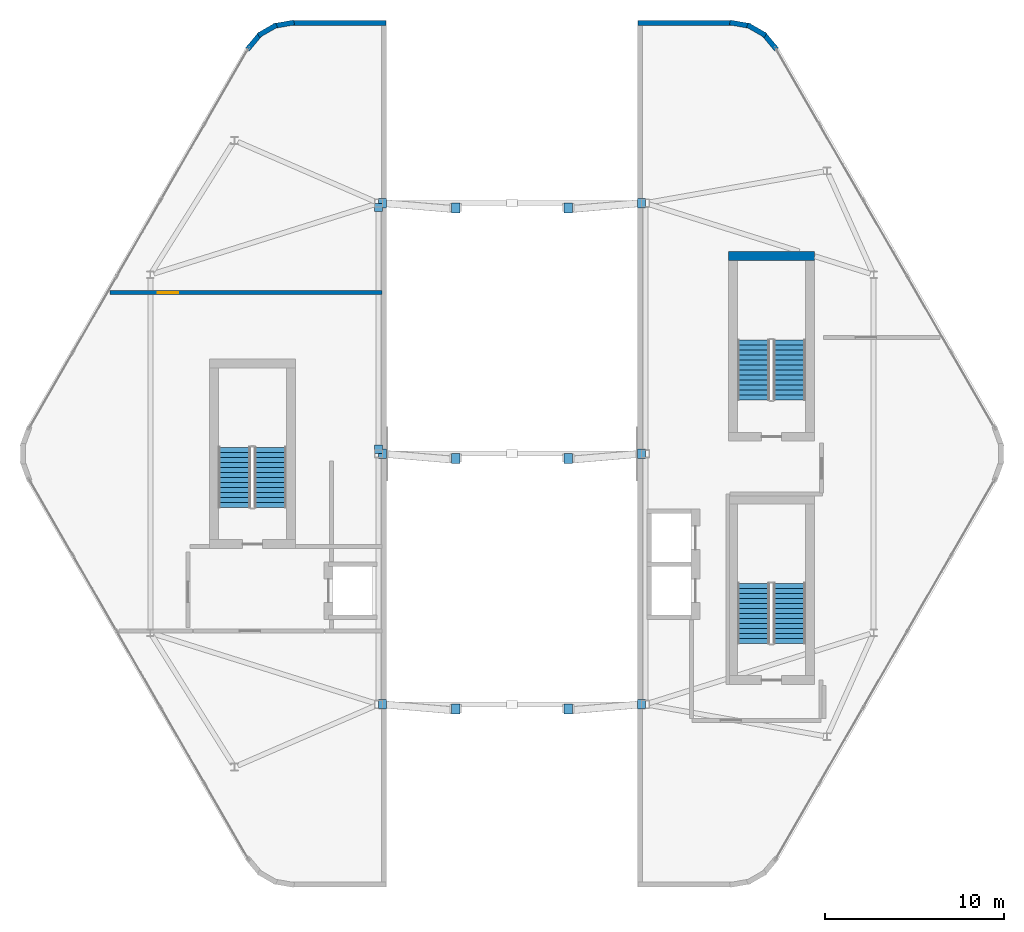
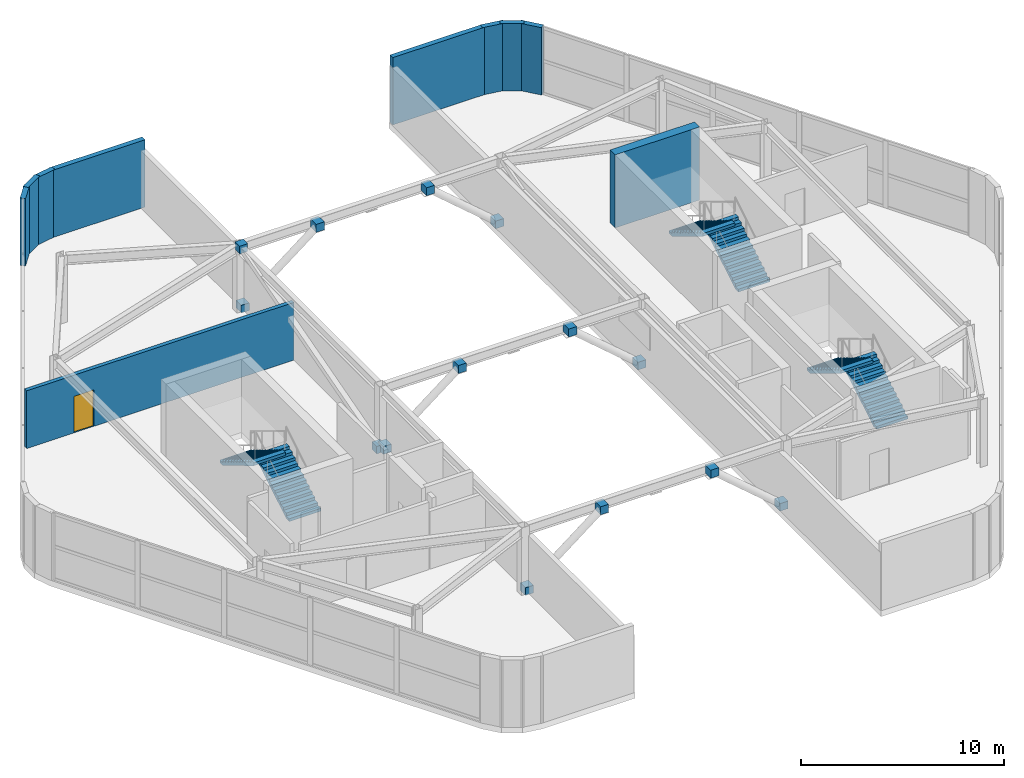
# One storey, part 15 of 16: 14 discrete accessories, 10 walls, 6 stair flights, 1 door, 1 opening, 3 elements without a shape of their own.
"""IFC4 building model written with IfcOpenShell, lengths in metres."""

from ifc_helpers import new_model, si_unit, direction, frame, frame_2d, origin, origin_2d, place, context, subcontext, project, spatial, polyline, rectangle, outline, extrude, material, layer, layer_set, type_object, element, fill, aggregate, save


model = new_model("IFC4")

# Units and contexts
model_context = context("Model", 3, precision=1e-05, world=origin(), true_north=direction((0.0, 1.0)))
body_context = subcontext(model_context, "Body", "Model", "MODEL_VIEW")
ifc_project = project(units=[si_unit("LENGTHUNIT", "METRE"), si_unit("AREAUNIT", "SQUARE_METRE"), si_unit("VOLUMEUNIT", "CUBIC_METRE"), si_unit("PLANEANGLEUNIT", "RADIAN"), si_unit("MASSUNIT", "GRAM", prefix="KILO")], contexts=[model_context])

# Site, building, storey
site_placement = place(None, origin())
site = spatial("IfcSite", under=ifc_project, at=site_placement, CompositionType="ELEMENT")
building_placement = place(site_placement, origin())
building = spatial("IfcBuilding", under=site, at=building_placement, Name="Zuhravey Tower", CompositionType="ELEMENT")
storey_placement = place(building_placement, frame((0.0, 0.0, 370.199951171875)))
storey = spatial("IfcBuildingStorey", under=building, at=storey_placement, Name="L94", CompositionType="ELEMENT", Elevation=370.199951171875)

# Walls
ifc_material_1 = material(Name="Concrete C50/60", Category="concrete")
ifc_layer_1 = layer(ifc_material_1, 0.5)
ifc_layer_set_1 = layer_set([ifc_layer_1], Name="Concrete C50/60")
wall_type_1 = type_object("IfcWallType", Name="Core Shear Wall 500", PredefinedType="SHEAR", material=ifc_layer_set_1)
wall_1_placement = place(storey_placement, frame((52.89990234375, 43.050048828125, 0.0), z_axis=(0.0, 0.0, 1.0), x_axis=(-1.0, 0.0, 0.0)))
element("IfcWall", 1, at=wall_1_placement, inside=storey, type_object=wall_type_1, Name="L94 CST3 North Shaft Wall", PredefinedType="SHEAR", context=body_context, shape_type="SweptSolid", body=[
    extrude(rectangle(XDim=4.7998046875, YDim=0.5, at=frame_2d((2.39990234375, 0.0))), origin(), (0.0, 0.0, 1.0), 4.400146484375),
])
ifc_material_2 = material(Name="Precast concrete C40/50", Category="concrete")
ifc_layer_2 = layer(ifc_material_2, 0.280029296875)
ifc_layer_set_2 = layer_set([ifc_layer_2], Name="Precast concrete C40/50")
wall_type_2 = type_object("IfcWallType", Name="Crown Architectural Wall 280", PredefinedType="SOLIDWALL", material=ifc_layer_set_2)
wall_2_placement = place(storey_placement, frame((21.222412109375, 54.585693359375, 0.0), z_axis=(0.0, 0.0, 1.0), x_axis=(0.642851701012, 0.765990659542, 0.0)))
element("IfcWall", 2, at=wall_2_placement, inside=storey, type_object=wall_type_2, Name="L94 WEST Crest Wall EW28-09", PredefinedType="SOLIDWALL", context=body_context, shape_type="SweptSolid", body=[
    extrude(rectangle(XDim=1.177734375, YDim=0.280029296875, at=frame_2d((0.5888671875, 0.0))), origin(), (0.0, 0.0, 1.0), 4.050048828125),
])
wall_3_placement = place(storey_placement, frame((21.836181640625, 55.367431640625, 0.0), z_axis=(0.0, 0.0, 1.0), x_axis=(0.865951785477, 0.500127488975, 0.0)))
element("IfcWall", 3, at=wall_3_placement, inside=storey, type_object=wall_type_2, Name="L94 WEST Crest Wall EW28-10", PredefinedType="SOLIDWALL", context=body_context, shape_type="SweptSolid", body=[
    extrude(rectangle(XDim=1.165283203125, YDim=0.280029296875, at=frame_2d((0.58251953125, 0.0))), origin(), (0.0, 0.0, 1.0), 4.050048828125),
])
wall_4_placement = place(storey_placement, frame((22.669189453125, 55.885986328125, 0.0), z_axis=(0.0, 0.0, 1.0), x_axis=(0.984798162481, 0.173702559495, 0.0)))
element("IfcWall", 4, at=wall_4_placement, inside=storey, type_object=wall_type_2, Name="L94 WEST Crest Wall EW28-11", PredefinedType="SOLIDWALL", context=body_context, shape_type="SweptSolid", body=[
    extrude(rectangle(XDim=1.177734375, YDim=0.280029296875, at=frame_2d((0.5888671875, 0.0))), origin(), (0.0, 0.0, 1.0), 4.050048828125),
])
wall_5_placement = place(storey_placement, frame((23.640380859375, 56.07421875, 0.0), z_axis=(0.0, 0.0, 1.0), x_axis=(1.0, 0.0, 0.0)))
element("IfcWall", 5, at=wall_5_placement, inside=storey, type_object=wall_type_2, Name="L94 WEST Crest Wall EW28-12", PredefinedType="SOLIDWALL", context=body_context, shape_type="SweptSolid", body=[
    extrude(rectangle(XDim=5.314697265625, YDim=0.280029296875, at=frame_2d((2.6572265625, 0.0))), origin(), (0.0, 0.0, 1.0), 4.050048828125),
])
wall_6_placement = place(storey_placement, frame((48.1708984375, 56.090576171875, 0.0), z_axis=(0.0, 0.0, 1.0), x_axis=(0.984798162481, -0.173702559495, 0.0)))
element("IfcWall", 6, at=wall_6_placement, inside=storey, type_object=wall_type_2, Name="L94 EAST Crest Wall EW28-01", PredefinedType="SOLIDWALL", context=body_context, shape_type="SweptSolid", body=[
    extrude(rectangle(XDim=1.177734375, YDim=0.280029296875, at=frame_2d((0.5888671875, 0.0))), origin(), (0.0, 0.0, 1.0), 4.050048828125),
])
wall_7_placement = place(storey_placement, frame((49.15478515625, 55.9501953125, 0.0), z_axis=(0.0, 0.0, 1.0), x_axis=(0.865951785477, -0.500127488975, 0.0)))
element("IfcWall", 7, at=wall_7_placement, inside=storey, type_object=wall_type_2, Name="L94 EAST Crest Wall EW28-02", PredefinedType="SOLIDWALL", context=body_context, shape_type="SweptSolid", body=[
    extrude(rectangle(XDim=1.165283203125, YDim=0.280029296875, at=frame_2d((0.58251953125, 0.0))), origin(), (0.0, 0.0, 1.0), 4.050048828125),
])
wall_8_placement = place(storey_placement, frame((50.0205078125, 55.48779296875, 0.0), z_axis=(0.0, 0.0, 1.0), x_axis=(0.642851701012, -0.765990659542, 0.0)))
element("IfcWall", 8, at=wall_8_placement, inside=storey, type_object=wall_type_2, Name="L94 EAST Crest Wall EW28-03", PredefinedType="SOLIDWALL", context=body_context, shape_type="SweptSolid", body=[
    extrude(rectangle(XDim=1.177734375, YDim=0.280029296875, at=frame_2d((0.5888671875, 0.0))), origin(), (0.0, 0.0, 1.0), 4.050048828125),
])
wall_9_placement = place(storey_placement, frame((43.044921875, 56.07421875, 0.0), z_axis=(0.0, 0.0, 1.0), x_axis=(1.0, 0.0, 0.0)))
element("IfcWall", 9, at=wall_9_placement, inside=storey, type_object=wall_type_2, Name="L94 EAST Crest Wall EW28-14", PredefinedType="SOLIDWALL", context=body_context, shape_type="SweptSolid", body=[
    extrude(rectangle(XDim=5.314697265625, YDim=0.280029296875, at=frame_2d((2.6572265625, 0.0))), origin(), (0.0, 0.0, 1.0), 4.050048828125),
])

# Wall, opening, door
ifc_material_3 = material(Name="Gypsum acoustic stud assembly")
ifc_layer_3 = layer(ifc_material_3, 0.219970703125)
ifc_layer_set_3 = layer_set([ifc_layer_3], Name="Gypsum acoustic stud assembly")
wall_type_3 = type_object("IfcWallType", Name="School Acoustic Compartment Wall 220", PredefinedType="PARTITIONING", material=ifc_layer_set_3)
wall_10_placement = place(storey_placement, frame((13.536376953125, 41.0, 0.0), z_axis=(0.0, 0.0, 1.0), x_axis=(1.0, 0.0, 0.0)))
wall_10 = element("IfcWall", 10, at=wall_10_placement, inside=storey, type_object=wall_type_3, Name="L94 IW22 Partition 008", PredefinedType="PARTITIONING", context=body_context, shape_type="SweptSolid", body=[
    extrude(rectangle(XDim=15.20361328125, YDim=0.219970703125, at=frame_2d((7.601806640625, 0.0))), origin(), (0.0, 0.0, 1.0), 3.469970703125),
])
opening_placement = place(wall_10_placement, frame((2.68359375, 0.0, 0.0)))
opening = element("IfcOpeningElement", 11, at=opening_placement, cuts=wall_10, Name="Opening CLD1", PredefinedType="OPENING", context=body_context, shape_type="SweptSolid", body=[
    extrude(rectangle(XDim=1.14990234375, YDim=2.199951171875, at=frame_2d((0.574951171875, 1.10009765625))), frame((0.0, 0.1220703125, 0.0), z_axis=(0.0, -1.0, 0.0), x_axis=(1.0, 0.0, 0.0)), (0.0, 0.0, 1.0), 0.243896484375),
])
ifc_material_4 = material(Name="Acoustic timber leaf with vision lite", Category="wood")
door_type = type_object("IfcDoorType", Name="Classroom Acoustic Door 1150x2200", OperationType="NOTDEFINED", PredefinedType="DOOR", material=ifc_material_4)
door_placement = place(opening_placement, origin())
door = element("IfcDoor", 12, at=door_placement, inside=storey, type_object=door_type, Name="L94 North Damper Plant Door", OperationType="SINGLE_SWING_LEFT", OverallHeight=2.199951171875, OverallWidth=1.14990234375, PredefinedType="DOOR", context=body_context, shape_type="SweptSolid", body=[
    extrude(rectangle(XDim=1.14990234375, YDim=2.199951171875, at=frame_2d((0.574951171875, 1.10009765625))), frame((0.0, 0.02490234375, 0.0), z_axis=(0.0, -1.0, 0.0), x_axis=(1.0, 0.0, 0.0)), (0.0, 0.0, 1.0), 0.050048828125),
])
fill(opening, door)

# Stair, stair flights
ifc_material_5 = material(Name="Concrete C40/50", Category="concrete")
stair_type = type_object("IfcStairType", Name="Crown Storey Stair Assembly 4400", PredefinedType="HALF_TURN_STAIR", material=ifc_material_5)
stair_1_placement = place(storey_placement, origin())
stair_1 = element("IfcStair", 13, at=stair_1_placement, inside=storey, type_object=stair_type, Name="L94 West Crest Stair CST1", PredefinedType="HALF_TURN_STAIR")
stair_flight_type = type_object("IfcStairFlightType", Name="Crown Storey Stair Flight 4400", PredefinedType="STRAIGHT", material=ifc_material_5)
stair_flight_1_placement = place(storey_placement, frame((22.5, 29.0, 0.0), z_axis=(0.0, 0.0, 1.0), x_axis=(0.0, 1.0, 0.0)))
stair_flight_1 = element("IfcStairFlight", 14, at=stair_flight_1_placement, type_object=stair_flight_type, Name="CST1 flight 1", NumberOfRisers=13, NumberOfTreads=12, PredefinedType="STRAIGHT", RiserHeight=0.169230769, TreadLength=0.28, context=body_context, shape_type="SweptSolid", body=[
    extrude(outline(polyline([(0.0, 0.0), (0.0, 0.169189453125), (0.280029296875, 0.169189453125), (0.280029296875, 0.33837890625), (0.56005859375, 0.33837890625), (0.56005859375, 0.5078125), (0.840087890625, 0.5078125), (0.840087890625, 0.677001953125), (1.1201171875, 0.677001953125), (1.1201171875, 0.84619140625), (1.39990234375, 0.84619140625), (1.39990234375, 1.015380859375), (1.679931640625, 1.015380859375), (1.679931640625, 1.1845703125), (1.9599609375, 1.1845703125), (1.9599609375, 1.353759765625), (2.239990234375, 1.353759765625), (2.239990234375, 1.523193359375), (2.52001953125, 1.523193359375), (2.52001953125, 1.6923828125), (2.800048828125, 1.6923828125), (2.800048828125, 1.861572265625), (3.080078125, 1.861572265625), (3.080078125, 2.03076171875), (3.360107421875, 2.03076171875), (3.360107421875, 2.199951171875), (3.360107421875, 1.855712890625), (0.289794921875, 0.0), (0.0, 0.0)])), frame((0.0, 0.89990234375, 0.0), z_axis=(0.0, -1.0, 0.0), x_axis=(1.0, 0.0, 0.0)), (0.0, 0.0, 1.0), 1.800048828125),
])
stair_flight_2_placement = place(storey_placement, frame((20.5, 32.360107421875, 2.199951171875), z_axis=(0.0, 0.0, 1.0), x_axis=(0.0, -1.0, 0.0)))
stair_flight_2 = element("IfcStairFlight", 15, at=stair_flight_2_placement, type_object=stair_flight_type, Name="CST1 flight 2", NumberOfRisers=13, NumberOfTreads=12, PredefinedType="STRAIGHT", RiserHeight=0.169230769, TreadLength=0.28, context=body_context, shape_type="SweptSolid", body=[
    extrude(outline(polyline([(0.0, 0.0), (0.0, 0.169189453125), (0.280029296875, 0.169189453125), (0.280029296875, 0.33837890625), (0.56005859375, 0.33837890625), (0.56005859375, 0.5078125), (0.840087890625, 0.5078125), (0.840087890625, 0.677001953125), (1.1201171875, 0.677001953125), (1.1201171875, 0.84619140625), (1.39990234375, 0.84619140625), (1.39990234375, 1.015380859375), (1.679931640625, 1.015380859375), (1.679931640625, 1.1845703125), (1.9599609375, 1.1845703125), (1.9599609375, 1.353759765625), (2.239990234375, 1.353759765625), (2.239990234375, 1.523193359375), (2.52001953125, 1.523193359375), (2.52001953125, 1.6923828125), (2.800048828125, 1.6923828125), (2.800048828125, 1.861572265625), (3.080078125, 1.861572265625), (3.080078125, 2.03076171875), (3.360107421875, 2.03076171875), (3.360107421875, 2.199951171875), (3.360107421875, 1.855712890625), (0.289794921875, 0.0), (0.0, 0.0)])), frame((0.0, 0.89990234375, 0.0), z_axis=(0.0, -1.0, 0.0), x_axis=(1.0, 0.0, 0.0)), (0.0, 0.0, 1.0), 1.800048828125),
])
aggregate(stair_1, [stair_flight_1, stair_flight_2])

stair_2_placement = place(storey_placement, origin())
stair_2 = element("IfcStair", 16, at=stair_2_placement, inside=storey, type_object=stair_type, Name="L94 East Crest South Stair CST2", PredefinedType="HALF_TURN_STAIR")
stair_flight_3_placement = place(storey_placement, frame((51.5, 21.39990234375, 0.0), z_axis=(0.0, 0.0, 1.0), x_axis=(0.0, 1.0, 0.0)))
stair_flight_3 = element("IfcStairFlight", 17, at=stair_flight_3_placement, type_object=stair_flight_type, Name="CST2 flight 1", NumberOfRisers=13, NumberOfTreads=12, PredefinedType="STRAIGHT", RiserHeight=0.169230769, TreadLength=0.28, context=body_context, shape_type="SweptSolid", body=[
    extrude(outline(polyline([(0.0, 0.0), (0.0, 0.169189453125), (0.280029296875, 0.169189453125), (0.280029296875, 0.33837890625), (0.56005859375, 0.33837890625), (0.56005859375, 0.5078125), (0.840087890625, 0.5078125), (0.840087890625, 0.677001953125), (1.1201171875, 0.677001953125), (1.1201171875, 0.84619140625), (1.39990234375, 0.84619140625), (1.39990234375, 1.015380859375), (1.679931640625, 1.015380859375), (1.679931640625, 1.1845703125), (1.9599609375, 1.1845703125), (1.9599609375, 1.353759765625), (2.239990234375, 1.353759765625), (2.239990234375, 1.523193359375), (2.52001953125, 1.523193359375), (2.52001953125, 1.6923828125), (2.800048828125, 1.6923828125), (2.800048828125, 1.861572265625), (3.080078125, 1.861572265625), (3.080078125, 2.03076171875), (3.360107421875, 2.03076171875), (3.360107421875, 2.199951171875), (3.360107421875, 1.855712890625), (0.289794921875, 0.0), (0.0, 0.0)])), frame((0.0, 0.89990234375, 0.0), z_axis=(0.0, -1.0, 0.0), x_axis=(1.0, 0.0, 0.0)), (0.0, 0.0, 1.0), 1.800048828125),
])
stair_flight_4_placement = place(storey_placement, frame((49.5, 24.760009765625, 2.199951171875), z_axis=(0.0, 0.0, 1.0), x_axis=(0.0, -1.0, 0.0)))
stair_flight_4 = element("IfcStairFlight", 18, at=stair_flight_4_placement, type_object=stair_flight_type, Name="CST2 flight 2", NumberOfRisers=13, NumberOfTreads=12, PredefinedType="STRAIGHT", RiserHeight=0.169230769, TreadLength=0.28, context=body_context, shape_type="SweptSolid", body=[
    extrude(outline(polyline([(0.0, 0.0), (0.0, 0.169189453125), (0.280029296875, 0.169189453125), (0.280029296875, 0.33837890625), (0.56005859375, 0.33837890625), (0.56005859375, 0.5078125), (0.840087890625, 0.5078125), (0.840087890625, 0.677001953125), (1.1201171875, 0.677001953125), (1.1201171875, 0.84619140625), (1.39990234375, 0.84619140625), (1.39990234375, 1.015380859375), (1.679931640625, 1.015380859375), (1.679931640625, 1.1845703125), (1.9599609375, 1.1845703125), (1.9599609375, 1.353759765625), (2.239990234375, 1.353759765625), (2.239990234375, 1.523193359375), (2.52001953125, 1.523193359375), (2.52001953125, 1.6923828125), (2.800048828125, 1.6923828125), (2.800048828125, 1.861572265625), (3.080078125, 1.861572265625), (3.080078125, 2.03076171875), (3.360107421875, 2.03076171875), (3.360107421875, 2.199951171875), (3.360107421875, 1.855712890625), (0.289794921875, 0.0), (0.0, 0.0)])), frame((0.0, 0.89990234375, 0.0), z_axis=(0.0, -1.0, 0.0), x_axis=(1.0, 0.0, 0.0)), (0.0, 0.0, 1.0), 1.800048828125),
])
aggregate(stair_2, [stair_flight_3, stair_flight_4])

stair_3_placement = place(storey_placement, origin())
stair_3 = element("IfcStair", 19, at=stair_3_placement, inside=storey, type_object=stair_type, Name="L94 East Crest North Stair CST3", PredefinedType="HALF_TURN_STAIR")
stair_flight_5_placement = place(storey_placement, frame((51.5, 35.0, 0.0), z_axis=(0.0, 0.0, 1.0), x_axis=(0.0, 1.0, 0.0)))
stair_flight_5 = element("IfcStairFlight", 20, at=stair_flight_5_placement, type_object=stair_flight_type, Name="CST3 flight 1", NumberOfRisers=13, NumberOfTreads=12, PredefinedType="STRAIGHT", RiserHeight=0.169230769, TreadLength=0.28, context=body_context, shape_type="SweptSolid", body=[
    extrude(outline(polyline([(0.0, 0.0), (0.0, 0.169189453125), (0.280029296875, 0.169189453125), (0.280029296875, 0.33837890625), (0.56005859375, 0.33837890625), (0.56005859375, 0.5078125), (0.840087890625, 0.5078125), (0.840087890625, 0.677001953125), (1.1201171875, 0.677001953125), (1.1201171875, 0.84619140625), (1.39990234375, 0.84619140625), (1.39990234375, 1.015380859375), (1.679931640625, 1.015380859375), (1.679931640625, 1.1845703125), (1.9599609375, 1.1845703125), (1.9599609375, 1.353759765625), (2.239990234375, 1.353759765625), (2.239990234375, 1.523193359375), (2.52001953125, 1.523193359375), (2.52001953125, 1.6923828125), (2.800048828125, 1.6923828125), (2.800048828125, 1.861572265625), (3.080078125, 1.861572265625), (3.080078125, 2.03076171875), (3.360107421875, 2.03076171875), (3.360107421875, 2.199951171875), (3.360107421875, 1.855712890625), (0.289794921875, 0.0), (0.0, 0.0)])), frame((0.0, 0.89990234375, 0.0), z_axis=(0.0, -1.0, 0.0), x_axis=(1.0, 0.0, 0.0)), (0.0, 0.0, 1.0), 1.800048828125),
])
stair_flight_6_placement = place(storey_placement, frame((49.5, 38.360107421875, 2.199951171875), z_axis=(0.0, 0.0, 1.0), x_axis=(0.0, -1.0, 0.0)))
stair_flight_6 = element("IfcStairFlight", 21, at=stair_flight_6_placement, type_object=stair_flight_type, Name="CST3 flight 2", NumberOfRisers=13, NumberOfTreads=12, PredefinedType="STRAIGHT", RiserHeight=0.169230769, TreadLength=0.28, context=body_context, shape_type="SweptSolid", body=[
    extrude(outline(polyline([(0.0, 0.0), (0.0, 0.169189453125), (0.280029296875, 0.169189453125), (0.280029296875, 0.33837890625), (0.56005859375, 0.33837890625), (0.56005859375, 0.5078125), (0.840087890625, 0.5078125), (0.840087890625, 0.677001953125), (1.1201171875, 0.677001953125), (1.1201171875, 0.84619140625), (1.39990234375, 0.84619140625), (1.39990234375, 1.015380859375), (1.679931640625, 1.015380859375), (1.679931640625, 1.1845703125), (1.9599609375, 1.1845703125), (1.9599609375, 1.353759765625), (2.239990234375, 1.353759765625), (2.239990234375, 1.523193359375), (2.52001953125, 1.523193359375), (2.52001953125, 1.6923828125), (2.800048828125, 1.6923828125), (2.800048828125, 1.861572265625), (3.080078125, 1.861572265625), (3.080078125, 2.03076171875), (3.360107421875, 2.03076171875), (3.360107421875, 2.199951171875), (3.360107421875, 1.855712890625), (0.289794921875, 0.0), (0.0, 0.0)])), frame((0.0, 0.89990234375, 0.0), z_axis=(0.0, -1.0, 0.0), x_axis=(1.0, 0.0, 0.0)), (0.0, 0.0, 1.0), 1.800048828125),
])
aggregate(stair_3, [stair_flight_5, stair_flight_6])

# Discrete accessories
ifc_material_6 = material(Name="Steel SM355", Category="steel")
discrete_accessory_type = type_object("IfcDiscreteAccessoryType", Name="Exoskeleton Support Bracket", PredefinedType="BRACKET", material=ifc_material_6)
for number, where, z_axis, x_axis, name in (
    (22, (28.550048828125, 32.249267578125, -0.12451171875), (0.0, 0.0, 1.0), (1.0, 0.0, 0.0), "L94 WCFS1 End Shoe BRK1-FT"),
    (23, (28.550048828125, 45.750732421875, 3.714599609375), (0.0, 0.0, 1.0), (1.0, 0.0, 0.0), "L94 WCFS1 End Shoe BRK1-HD"),
):
    element("IfcDiscreteAccessory", number, at=place(storey_placement, frame(where, z_axis=z_axis, x_axis=x_axis)), inside=storey, type_object=discrete_accessory_type, Name=name, PredefinedType="BRACKET", context=body_context, shape_type="SweptSolid", body=[
        extrude(rectangle(XDim=0.4599609375, YDim=0.4599609375, at=origin_2d()), origin(), (0.0, 0.0, 1.0), 0.4599609375),
    ])
discrete_accessory_1_placement = place(storey_placement, frame((28.765380859375, 18.0, -0.048583984375), z_axis=(0.0, 0.0, 1.0), x_axis=(1.0, 0.0, 0.0)))
element("IfcDiscreteAccessory", 24, at=discrete_accessory_1_placement, inside=storey, type_object=discrete_accessory_type, Name="L94 Wind-Portal Arch Foot Shoe BRK1-1W", PredefinedType="BRACKET", context=body_context, shape_type="SweptSolid", body=[
    extrude(rectangle(XDim=0.4599609375, YDim=0.52001953125, at=origin_2d()), origin(), (0.0, 0.0, 1.0), 0.4599609375),
])
discrete_accessory_2_placement = place(storey_placement, frame((32.863525390625, 17.732177734375, 3.543701171875), z_axis=(0.0, 0.0, 1.0), x_axis=(1.0, 0.0, 0.0)))
element("IfcDiscreteAccessory", 25, at=discrete_accessory_2_placement, inside=storey, type_object=discrete_accessory_type, Name="L94 Wind-Portal Arch Head Shoe BRK1-1W", PredefinedType="BRACKET", context=body_context, shape_type="SweptSolid", body=[
    extrude(rectangle(XDim=0.4599609375, YDim=0.56005859375, at=origin_2d()), origin(), (0.0, 0.0, 1.0), 0.47998046875),
])
discrete_accessory_3_placement = place(storey_placement, frame((43.234619140625, 18.0, -0.048583984375), z_axis=(0.0, 0.0, 1.0), x_axis=(1.0, 0.0, 0.0)))
element("IfcDiscreteAccessory", 26, at=discrete_accessory_3_placement, inside=storey, type_object=discrete_accessory_type, Name="L94 Wind-Portal Arch Foot Shoe BRK1-1E", PredefinedType="BRACKET", context=body_context, shape_type="SweptSolid", body=[
    extrude(rectangle(XDim=0.4599609375, YDim=0.52001953125, at=origin_2d()), origin(), (0.0, 0.0, 1.0), 0.4599609375),
])
discrete_accessory_4_placement = place(storey_placement, frame((39.136474609375, 17.732177734375, 3.543701171875), z_axis=(0.0, 0.0, 1.0), x_axis=(1.0, 0.0, 0.0)))
element("IfcDiscreteAccessory", 27, at=discrete_accessory_4_placement, inside=storey, type_object=discrete_accessory_type, Name="L94 Wind-Portal Arch Head Shoe BRK1-1E", PredefinedType="BRACKET", context=body_context, shape_type="SweptSolid", body=[
    extrude(rectangle(XDim=0.4599609375, YDim=0.56005859375, at=origin_2d()), origin(), (0.0, 0.0, 1.0), 0.47998046875),
])
discrete_accessory_5_placement = place(storey_placement, frame((28.765380859375, 32.0, -0.048583984375), z_axis=(0.0, 0.0, 1.0), x_axis=(1.0, 0.0, 0.0)))
element("IfcDiscreteAccessory", 28, at=discrete_accessory_5_placement, inside=storey, type_object=discrete_accessory_type, Name="L94 Wind-Portal Arch Foot Shoe BRK1-2W", PredefinedType="BRACKET", context=body_context, shape_type="SweptSolid", body=[
    extrude(rectangle(XDim=0.4599609375, YDim=0.52001953125, at=origin_2d()), origin(), (0.0, 0.0, 1.0), 0.4599609375),
])
discrete_accessory_6_placement = place(storey_placement, frame((32.863525390625, 31.732177734375, 3.543701171875), z_axis=(0.0, 0.0, 1.0), x_axis=(1.0, 0.0, 0.0)))
element("IfcDiscreteAccessory", 29, at=discrete_accessory_6_placement, inside=storey, type_object=discrete_accessory_type, Name="L94 Wind-Portal Arch Head Shoe BRK1-2W", PredefinedType="BRACKET", context=body_context, shape_type="SweptSolid", body=[
    extrude(rectangle(XDim=0.4599609375, YDim=0.56005859375, at=origin_2d()), origin(), (0.0, 0.0, 1.0), 0.47998046875),
])
discrete_accessory_7_placement = place(storey_placement, frame((43.234619140625, 32.0, -0.048583984375), z_axis=(0.0, 0.0, 1.0), x_axis=(1.0, 0.0, 0.0)))
element("IfcDiscreteAccessory", 30, at=discrete_accessory_7_placement, inside=storey, type_object=discrete_accessory_type, Name="L94 Wind-Portal Arch Foot Shoe BRK1-2E", PredefinedType="BRACKET", context=body_context, shape_type="SweptSolid", body=[
    extrude(rectangle(XDim=0.4599609375, YDim=0.52001953125, at=origin_2d()), origin(), (0.0, 0.0, 1.0), 0.4599609375),
])
discrete_accessory_8_placement = place(storey_placement, frame((39.136474609375, 31.732177734375, 3.543701171875), z_axis=(0.0, 0.0, 1.0), x_axis=(1.0, 0.0, 0.0)))
element("IfcDiscreteAccessory", 31, at=discrete_accessory_8_placement, inside=storey, type_object=discrete_accessory_type, Name="L94 Wind-Portal Arch Head Shoe BRK1-2E", PredefinedType="BRACKET", context=body_context, shape_type="SweptSolid", body=[
    extrude(rectangle(XDim=0.4599609375, YDim=0.56005859375, at=origin_2d()), origin(), (0.0, 0.0, 1.0), 0.47998046875),
])
discrete_accessory_9_placement = place(storey_placement, frame((28.765380859375, 46.0, -0.048583984375), z_axis=(0.0, 0.0, 1.0), x_axis=(1.0, 0.0, 0.0)))
element("IfcDiscreteAccessory", 32, at=discrete_accessory_9_placement, inside=storey, type_object=discrete_accessory_type, Name="L94 Wind-Portal Arch Foot Shoe BRK1-3W", PredefinedType="BRACKET", context=body_context, shape_type="SweptSolid", body=[
    extrude(rectangle(XDim=0.4599609375, YDim=0.52001953125, at=origin_2d()), origin(), (0.0, 0.0, 1.0), 0.4599609375),
])
discrete_accessory_10_placement = place(storey_placement, frame((32.863525390625, 45.732177734375, 3.543701171875), z_axis=(0.0, 0.0, 1.0), x_axis=(1.0, 0.0, 0.0)))
element("IfcDiscreteAccessory", 33, at=discrete_accessory_10_placement, inside=storey, type_object=discrete_accessory_type, Name="L94 Wind-Portal Arch Head Shoe BRK1-3W", PredefinedType="BRACKET", context=body_context, shape_type="SweptSolid", body=[
    extrude(rectangle(XDim=0.4599609375, YDim=0.56005859375, at=origin_2d()), origin(), (0.0, 0.0, 1.0), 0.47998046875),
])
discrete_accessory_11_placement = place(storey_placement, frame((43.234619140625, 46.0, -0.048583984375), z_axis=(0.0, 0.0, 1.0), x_axis=(1.0, 0.0, 0.0)))
element("IfcDiscreteAccessory", 34, at=discrete_accessory_11_placement, inside=storey, type_object=discrete_accessory_type, Name="L94 Wind-Portal Arch Foot Shoe BRK1-3E", PredefinedType="BRACKET", context=body_context, shape_type="SweptSolid", body=[
    extrude(rectangle(XDim=0.4599609375, YDim=0.52001953125, at=origin_2d()), origin(), (0.0, 0.0, 1.0), 0.4599609375),
])
discrete_accessory_12_placement = place(storey_placement, frame((39.136474609375, 45.732177734375, 3.543701171875), z_axis=(0.0, 0.0, 1.0), x_axis=(1.0, 0.0, 0.0)))
element("IfcDiscreteAccessory", 35, at=discrete_accessory_12_placement, inside=storey, type_object=discrete_accessory_type, Name="L94 Wind-Portal Arch Head Shoe BRK1-3E", PredefinedType="BRACKET", context=body_context, shape_type="SweptSolid", body=[
    extrude(rectangle(XDim=0.4599609375, YDim=0.56005859375, at=origin_2d()), origin(), (0.0, 0.0, 1.0), 0.47998046875),
])

save(model, "model.ifc")
